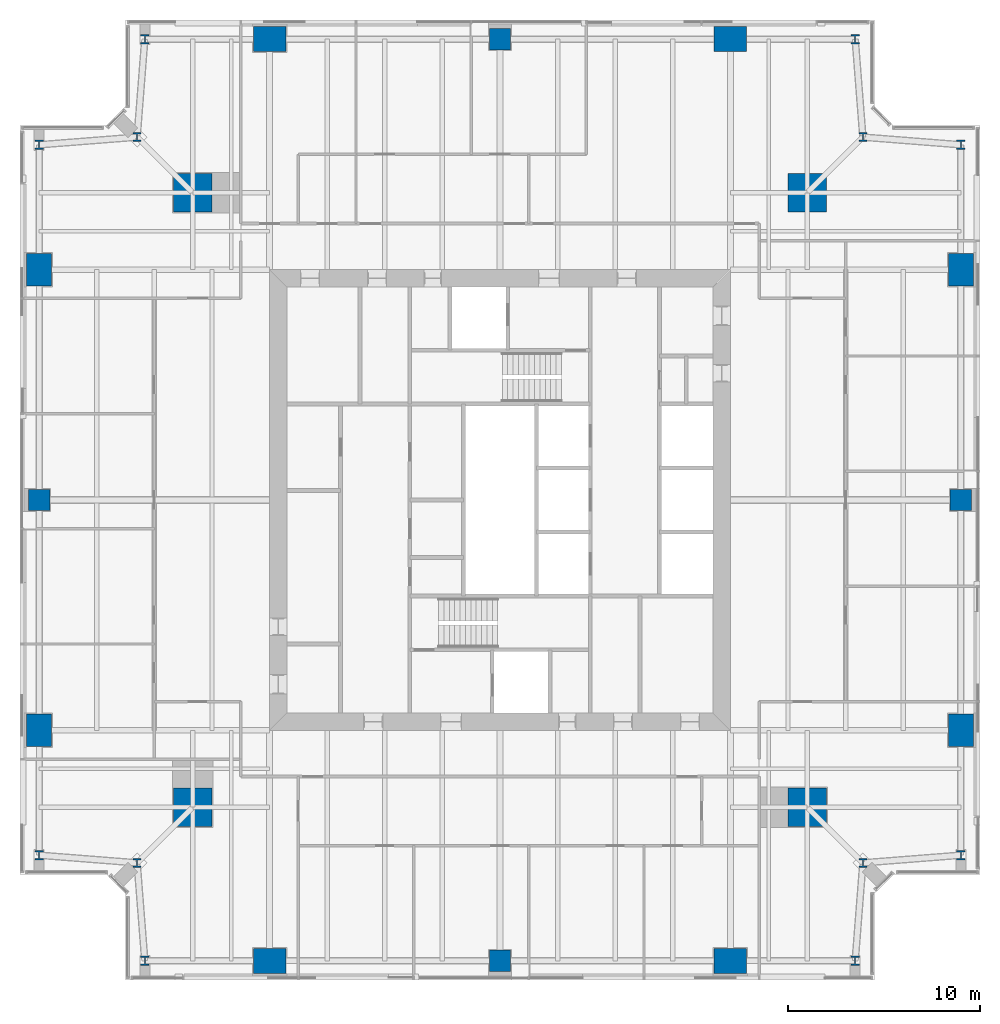
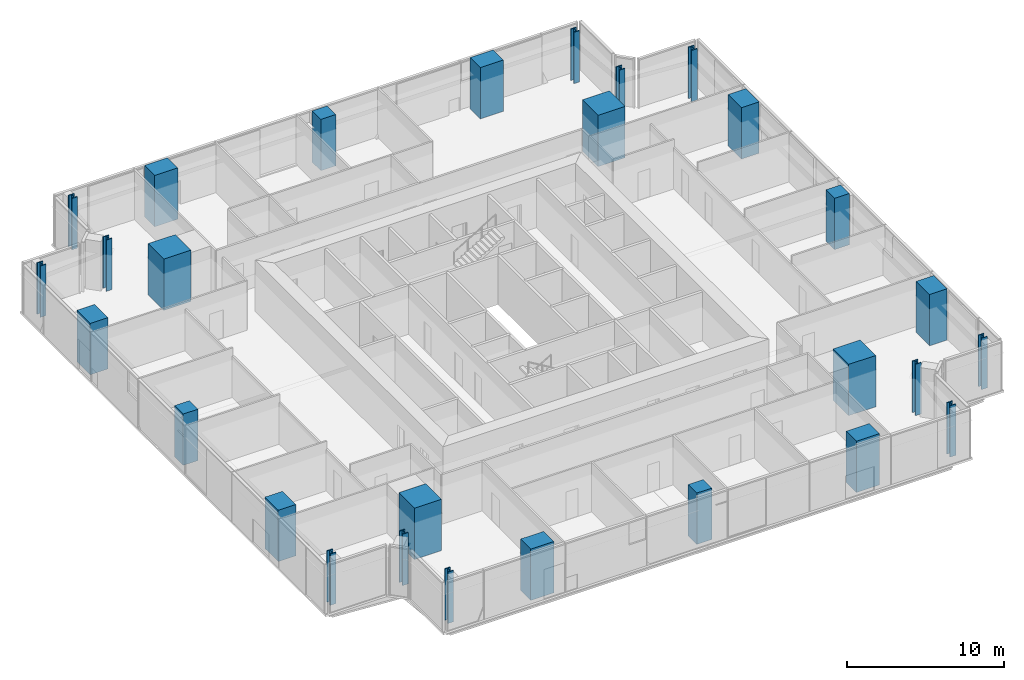
# One storey, part 1 of 14: 28 columns.
"""IFC4 building model written with IfcOpenShell, lengths in metres."""

from ifc_helpers import new_model, si_unit, direction, frame, origin, origin_2d, place, context, subcontext, project, spatial, rectangle, i_section, extrude, material, material_profile, profile_set, type_object, element, save


model = new_model("IFC4")

# Units and contexts
model_context = context("Model", 3, precision=1e-05, world=origin(), true_north=direction((0.0, 1.0)))
body_context = subcontext(model_context, "Body", "Model", "MODEL_VIEW")
ifc_project = project(units=[si_unit("LENGTHUNIT", "METRE"), si_unit("AREAUNIT", "SQUARE_METRE"), si_unit("VOLUMEUNIT", "CUBIC_METRE"), si_unit("PLANEANGLEUNIT", "RADIAN"), si_unit("MASSUNIT", "GRAM", prefix="KILO")], contexts=[model_context])

# Site, building, storey
site_placement = place(None, origin())
site = spatial("IfcSite", under=ifc_project, at=site_placement, CompositionType="ELEMENT")
building_placement = place(site_placement, origin())
building = spatial("IfcBuilding", under=site, at=building_placement, Name="Fenwick Lantern Interchange", CompositionType="ELEMENT")
storey_placement = place(building_placement, frame((0.0, 0.0, 225.800048828125)))
storey = spatial("IfcBuildingStorey", under=building, at=storey_placement, Name="L53", CompositionType="ELEMENT", Elevation=225.800048828125)

# Columns
ifc_material_1 = material(Name="Concrete f'c 70 MPa", Category="concrete")
ifc_material_profile_1 = material_profile(ifc_material_1, rectangle(XDim=2.0, YDim=2.0, at=origin_2d()), Name="RC2000X2000")
ifc_profile_set_1 = profile_set([ifc_material_profile_1], Name="Concrete f'c 70 MPa")
column_type_1 = type_object("IfcColumnType", Name="MEGA COLUMN RC2000X2000", PredefinedType="COLUMN", material=ifc_profile_set_1)
for number, where, z_axis, x_axis, name in (
    (1, (9.0, 9.0, 0.0), (0.0, 0.0, 1.0), (1.0, 0.0, 0.0), "L53/M1"),
    (2, (41.0, 9.0, 0.0), (0.0, 0.0, 1.0), (1.0, 0.0, 0.0), "L53/M2"),
    (3, (41.0, 41.0, 0.0), (0.0, 0.0, 1.0), (1.0, 0.0, 0.0), "L53/M3"),
    (4, (9.0, 41.0, 0.0), (0.0, 0.0, 1.0), (1.0, 0.0, 0.0), "L53/M4"),
):
    element("IfcColumn", number, at=place(storey_placement, frame(where, z_axis=z_axis, x_axis=x_axis)), inside=storey, type_object=column_type_1, Name=name, PredefinedType="COLUMN", context=body_context, shape_type="SweptSolid", body=[
        extrude(rectangle(XDim=2.0, YDim=2.0, at=origin_2d()), origin(), (0.0, 0.0, 1.0), 4.0),
    ])
ifc_material_profile_2 = material_profile(ifc_material_1, rectangle(XDim=1.10009765625, YDim=1.10009765625, at=origin_2d()), Name="RC1100X1100")
ifc_profile_set_2 = profile_set([ifc_material_profile_2], Name="Concrete f'c 70 MPa")
column_type_2 = type_object("IfcColumnType", Name="PERIMETER COLUMN RC1100X1100", PredefinedType="COLUMN", material=ifc_profile_set_2)
for number, where, z_axis, x_axis, name in (
    (5, (25.0, 1.0, 0.0), (0.0, 0.0, 1.0), (1.0, 0.0, 0.0), "L53/CS3"),
    (6, (49.0, 25.0, 0.0), (0.0, 0.0, 1.0), (1.0, 0.0, 0.0), "L53/CE3"),
    (7, (25.0, 49.0, 0.0), (0.0, 0.0, 1.0), (1.0, 0.0, 0.0), "L53/CN3"),
    (8, (1.0, 25.0, 0.0), (0.0, 0.0, 1.0), (1.0, 0.0, 0.0), "L53/CW3"),
):
    element("IfcColumn", number, at=place(storey_placement, frame(where, z_axis=z_axis, x_axis=x_axis)), inside=storey, type_object=column_type_2, Name=name, PredefinedType="COLUMN", context=body_context, shape_type="SweptSolid", body=[
        extrude(rectangle(XDim=1.10009765625, YDim=1.10009765625, at=origin_2d()), origin(), (0.0, 0.0, 1.0), 4.0),
    ])
ifc_material_profile_3 = material_profile(ifc_material_1, rectangle(XDim=1.300048828125, YDim=1.699951171875, at=origin_2d()), Name="RC1300X1700")
ifc_profile_set_3 = profile_set([ifc_material_profile_3], Name="Concrete f'c 70 MPa")
column_type_3 = type_object("IfcColumnType", Name="PERIMETER COLUMN RC1300X1700", PredefinedType="COLUMN", material=ifc_profile_set_3)
for number, where, z_axis, x_axis, name in (
    (9, (49.0, 13.0, 0.0), (0.0, 0.0, 1.0), (1.0, 0.0, 0.0), "L53/CE2"),
    (10, (49.0, 37.0, 0.0), (0.0, 0.0, 1.0), (1.0, 0.0, 0.0), "L53/CE4"),
    (11, (1.0, 37.0, 0.0), (0.0, 0.0, 1.0), (1.0, 0.0, 0.0), "L53/CW2"),
    (12, (1.0, 13.0, 0.0), (0.0, 0.0, 1.0), (1.0, 0.0, 0.0), "L53/CW4"),
):
    element("IfcColumn", number, at=place(storey_placement, frame(where, z_axis=z_axis, x_axis=x_axis)), inside=storey, type_object=column_type_3, Name=name, PredefinedType="COLUMN", context=body_context, shape_type="SweptSolid", body=[
        extrude(rectangle(XDim=1.300048828125, YDim=1.699951171875, at=origin_2d()), origin(), (0.0, 0.0, 1.0), 4.0),
    ])
ifc_material_profile_4 = material_profile(ifc_material_1, rectangle(XDim=1.699951171875, YDim=1.300048828125, at=origin_2d()), Name="RC1700X1300")
ifc_profile_set_4 = profile_set([ifc_material_profile_4], Name="Concrete f'c 70 MPa")
column_type_4 = type_object("IfcColumnType", Name="PERIMETER COLUMN RC1700X1300", PredefinedType="COLUMN", material=ifc_profile_set_4)
for number, where, z_axis, x_axis, name in (
    (13, (13.0, 1.0, 0.0), (0.0, 0.0, 1.0), (1.0, 0.0, 0.0), "L53/CS2"),
    (14, (37.0, 1.0, 0.0), (0.0, 0.0, 1.0), (1.0, 0.0, 0.0), "L53/CS4"),
    (15, (37.0, 49.0, 0.0), (0.0, 0.0, 1.0), (1.0, 0.0, 0.0), "L53/CN2"),
    (16, (13.0, 49.0, 0.0), (0.0, 0.0, 1.0), (1.0, 0.0, 0.0), "L53/CN4"),
):
    element("IfcColumn", number, at=place(storey_placement, frame(where, z_axis=z_axis, x_axis=x_axis)), inside=storey, type_object=column_type_4, Name=name, PredefinedType="COLUMN", context=body_context, shape_type="SweptSolid", body=[
        extrude(rectangle(XDim=1.699951171875, YDim=1.300048828125, at=origin_2d()), origin(), (0.0, 0.0, 1.0), 4.0),
    ])
ifc_material_2 = material(Name="Steel ASTM A992 Grade 50", Category="steel")
ifc_material_profile_5 = material_profile(ifc_material_2, i_section(OverallWidth=0.424072265625, OverallDepth=0.47509765625, WebThickness=0.0478515625, FlangeThickness=0.0771484375, at=origin_2d()), Name="W14X426")
ifc_profile_set_5 = profile_set([ifc_material_profile_5], Name="Steel ASTM A992 Grade 50")
column_type_5 = type_object("IfcColumnType", Name="PERIMETER COLUMN W14X426", PredefinedType="COLUMN", material=ifc_profile_set_5)
for number, where, z_axis, x_axis, name in (
    (17, (6.5, 1.0, 0.0), (0.0, 0.0, 1.0), (1.0, 0.0, 0.0), "L53/CS1"),
    (18, (43.5, 1.0, 0.0), (0.0, 0.0, 1.0), (1.0, 0.0, 0.0), "L53/CS5"),
    (19, (43.89990234375, 6.10009765625, 0.0), (0.0, 0.0, 1.0), (1.0, 0.0, 0.0), "L53/CSR"),
    (20, (49.0, 6.5, 0.0), (0.0, 0.0, 1.0), (1.0, 0.0, 0.0), "L53/CE1"),
    (21, (49.0, 43.5, 0.0), (0.0, 0.0, 1.0), (1.0, 0.0, 0.0), "L53/CE5"),
    (22, (43.89990234375, 43.89990234375, 0.0), (0.0, 0.0, 1.0), (1.0, 0.0, 0.0), "L53/CER"),
    (23, (43.5, 49.0, 0.0), (0.0, 0.0, 1.0), (1.0, 0.0, 0.0), "L53/CN1"),
    (24, (6.5, 49.0, 0.0), (0.0, 0.0, 1.0), (1.0, 0.0, 0.0), "L53/CN5"),
    (25, (6.10009765625, 43.89990234375, 0.0), (0.0, 0.0, 1.0), (1.0, 0.0, 0.0), "L53/CNR"),
    (26, (1.0, 43.5, 0.0), (0.0, 0.0, 1.0), (1.0, 0.0, 0.0), "L53/CW1"),
    (27, (1.0, 6.5, 0.0), (0.0, 0.0, 1.0), (1.0, 0.0, 0.0), "L53/CW5"),
    (28, (6.10009765625, 6.10009765625, 0.0), (0.0, 0.0, 1.0), (1.0, 0.0, 0.0), "L53/CWR"),
):
    element("IfcColumn", number, at=place(storey_placement, frame(where, z_axis=z_axis, x_axis=x_axis)), inside=storey, type_object=column_type_5, Name=name, PredefinedType="COLUMN", context=body_context, shape_type="SweptSolid", body=[
        extrude(i_section(OverallWidth=0.424072265625, OverallDepth=0.47509765625, WebThickness=0.0478515625, FlangeThickness=0.0771484375, at=origin_2d()), origin(), (0.0, 0.0, 1.0), 4.0),
    ])

save(model, "model.ifc")
